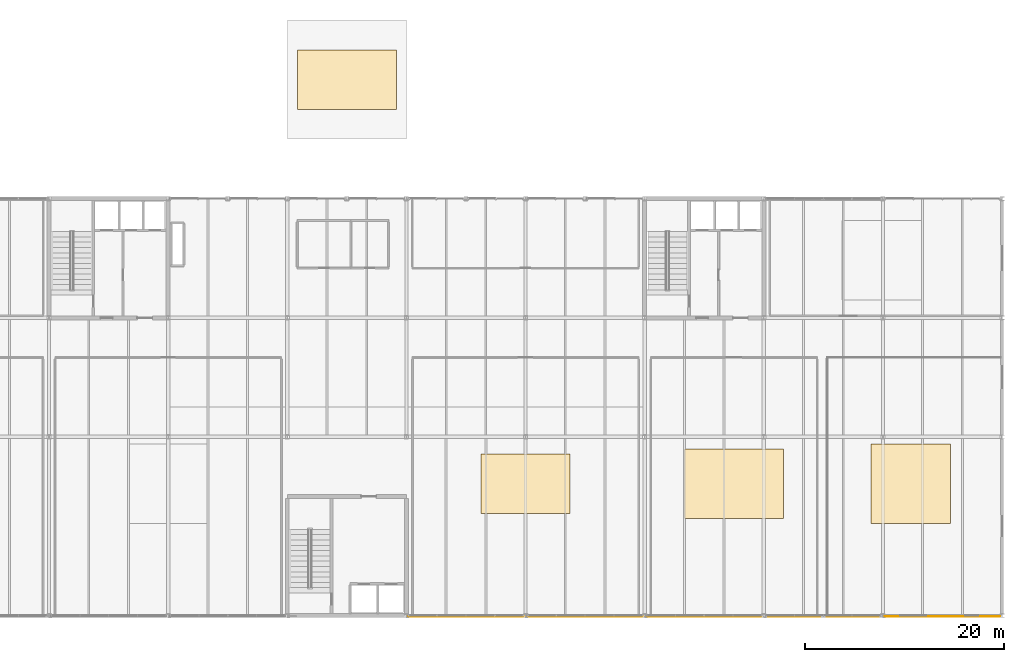
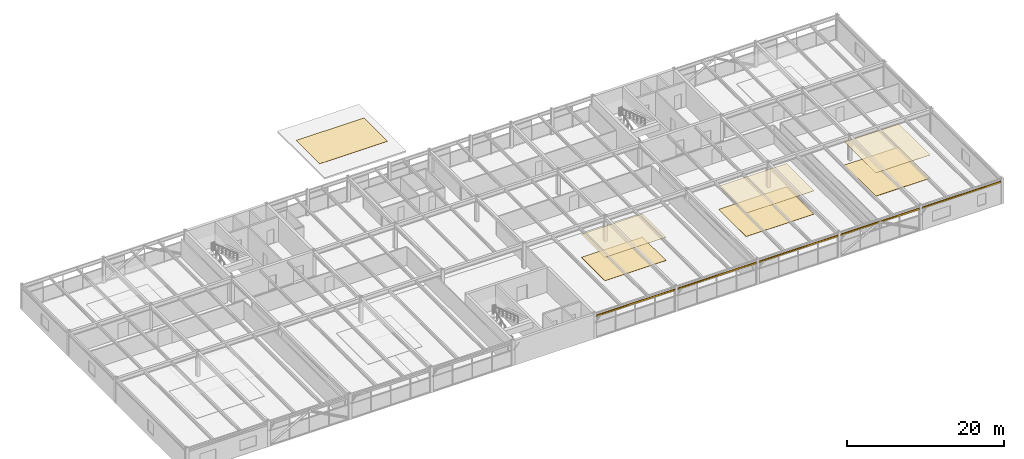
# One storey, part 48 of 49: 7 coverings, 5 shading devices.
"""IFC4 building model written with IfcOpenShell, lengths in metres."""

from ifc_helpers import new_model, si_unit, direction, frame, origin, origin_2d, place, context, subcontext, project, spatial, rectangle, extrude, material, layer, layer_set, type_object, element, save


model = new_model("IFC4")

# Units and contexts
model_context = context("Model", 3, precision=1e-05, world=origin(), true_north=direction((0.0, 1.0)))
body_context = subcontext(model_context, "Body", "Model", "MODEL_VIEW")
ifc_project = project(units=[si_unit("LENGTHUNIT", "METRE"), si_unit("AREAUNIT", "SQUARE_METRE"), si_unit("VOLUMEUNIT", "CUBIC_METRE"), si_unit("PLANEANGLEUNIT", "RADIAN"), si_unit("MASSUNIT", "GRAM", prefix="KILO")], contexts=[model_context])

# Site, building, storey
site_placement = place(None, origin())
site = spatial("IfcSite", under=ifc_project, at=site_placement, CompositionType="ELEMENT")
building_placement = place(site_placement, origin())
building = spatial("IfcBuilding", under=site, at=building_placement, Name="Girod Span Mobility Hub", CompositionType="ELEMENT")
storey_placement = place(building_placement, frame((0.0, 0.0, 37.60009765625)))
storey = spatial("IfcBuildingStorey", under=building, at=storey_placement, Name="L09", CompositionType="ELEMENT", Elevation=37.60009765625)

# Coverings
ifc_material_1 = material(Name="Perforated Mineral-Fibre Acoustic Ceiling Tile", Category="mineral")
ifc_layer_1 = layer(ifc_material_1, 0.050048828125)
ifc_layer_set_1 = layer_set([ifc_layer_1], Name="Perforated Mineral-Fibre Acoustic Ceiling Tile")
covering_type_1 = type_object("IfcCoveringType", Name="COV-CLG-1000X700", PredefinedType="CEILING", material=ifc_layer_set_1)
covering_1_placement = place(storey_placement, frame((117.0, 40.300048828125, 3.60498046875), z_axis=(0.0, 0.0, 1.0), x_axis=(1.0, 0.0, 0.0)))
element("IfcCovering", 1, at=covering_1_placement, inside=storey, type_object=covering_type_1, Name="Conference Room East L09 Acoustic Ceiling", PredefinedType="CEILING", context=body_context, shape_type="SweptSolid", body=[
    extrude(rectangle(XDim=10.0, YDim=7.0, at=origin_2d()), origin(), (0.0, 0.0, 1.0), 0.050048828125),
])
ifc_material_2 = material(Name="Perforated Mineral-Fibre Acoustic Ceiling Tile", Category="mineral")
ifc_layer_2 = layer(ifc_material_2, 0.0400390625)
ifc_layer_set_2 = layer_set([ifc_layer_2], Name="Perforated Mineral-Fibre Acoustic Ceiling Tile")
covering_type_2 = type_object("IfcCoveringType", Name="COV-CLG-800X800", PredefinedType="CEILING", material=ifc_layer_set_2)
covering_2_placement = place(storey_placement, frame((134.800048828125, 40.300048828125, 3.60498046875), z_axis=(0.0, 0.0, 1.0), x_axis=(1.0, 0.0, 0.0)))
element("IfcCovering", 2, at=covering_2_placement, inside=storey, type_object=covering_type_2, Name="Office Suite South East L09 Acoustic Ceiling", PredefinedType="CEILING", context=body_context, shape_type="SweptSolid", body=[
    extrude(rectangle(XDim=8.0, YDim=8.0, at=origin_2d()), origin(), (0.0, 0.0, 1.0), 0.0400390625),
])
ifc_material_3 = material(Name="Perforated Mineral-Fibre Acoustic Ceiling Tile", Category="mineral")
ifc_layer_3 = layer(ifc_material_3, 0.044921875)
ifc_layer_set_3 = layer_set([ifc_layer_3], Name="Perforated Mineral-Fibre Acoustic Ceiling Tile")
covering_type_3 = type_object("IfcCoveringType", Name="COV-CLG-900X600", PredefinedType="CEILING", material=ifc_layer_set_3)
covering_3_placement = place(storey_placement, frame((96.0, 40.300048828125, 3.60498046875), z_axis=(0.0, 0.0, 1.0), x_axis=(1.0, 0.0, 0.0)))
element("IfcCovering", 3, at=covering_3_placement, inside=storey, type_object=covering_type_3, Name="Planning Studio South L09 Acoustic Ceiling", PredefinedType="CEILING", context=body_context, shape_type="SweptSolid", body=[
    extrude(rectangle(XDim=9.0, YDim=6.0, at=origin_2d()), origin(), (0.0, 0.0, 1.0), 0.044921875),
])
ifc_material_4 = material(Name="Epoxy Terrazzo and Raised Access Flooring", Category="polymer")
ifc_layer_4 = layer(ifc_material_4, 0.02490234375)
ifc_layer_set_4 = layer_set([ifc_layer_4], Name="Epoxy Terrazzo and Raised Access Flooring")
covering_type_4 = type_object("IfcCoveringType", Name="COV-FLR-1000X700", PredefinedType="FLOORING", material=ifc_layer_set_4)
covering_4_placement = place(storey_placement, frame((117.0, 40.300048828125, 0.0), z_axis=(0.0, 0.0, 1.0), x_axis=(1.0, 0.0, 0.0)))
element("IfcCovering", 4, at=covering_4_placement, inside=storey, type_object=covering_type_4, Name="Conference Room East L09 Floor Finish", PredefinedType="FLOORING", context=body_context, shape_type="SweptSolid", body=[
    extrude(rectangle(XDim=10.0, YDim=7.0, at=origin_2d()), origin(), (0.0, 0.0, 1.0), 0.02490234375),
])
ifc_material_5 = material(Name="Epoxy Terrazzo and Raised Access Flooring", Category="polymer")
ifc_layer_5 = layer(ifc_material_5, 0.034912109375)
ifc_layer_set_5 = layer_set([ifc_layer_5], Name="Epoxy Terrazzo and Raised Access Flooring")
covering_type_5 = type_object("IfcCoveringType", Name="COV-FLR-800X800", PredefinedType="FLOORING", material=ifc_layer_set_5)
covering_5_placement = place(storey_placement, frame((134.800048828125, 40.300048828125, 0.0), z_axis=(0.0, 0.0, 1.0), x_axis=(1.0, 0.0, 0.0)))
element("IfcCovering", 5, at=covering_5_placement, inside=storey, type_object=covering_type_5, Name="Office Suite South East L09 Floor Finish", PredefinedType="FLOORING", context=body_context, shape_type="SweptSolid", body=[
    extrude(rectangle(XDim=8.0, YDim=8.0, at=origin_2d()), origin(), (0.0, 0.0, 1.0), 0.034912109375),
])
ifc_material_6 = material(Name="Epoxy Terrazzo and Raised Access Flooring", Category="polymer")
ifc_layer_6 = layer(ifc_material_6, 0.030029296875)
ifc_layer_set_6 = layer_set([ifc_layer_6], Name="Epoxy Terrazzo and Raised Access Flooring")
covering_type_6 = type_object("IfcCoveringType", Name="COV-FLR-900X600", PredefinedType="FLOORING", material=ifc_layer_set_6)
covering_6_placement = place(storey_placement, frame((96.0, 40.300048828125, 0.0), z_axis=(0.0, 0.0, 1.0), x_axis=(1.0, 0.0, 0.0)))
element("IfcCovering", 6, at=covering_6_placement, inside=storey, type_object=covering_type_6, Name="Planning Studio South L09 Floor Finish", PredefinedType="FLOORING", context=body_context, shape_type="SweptSolid", body=[
    extrude(rectangle(XDim=9.0, YDim=6.0, at=origin_2d()), origin(), (0.0, 0.0, 1.0), 0.030029296875),
])
ifc_material_7 = material(Name="EPDM Cool-Roof Waterproofing Membrane", Category="polymer")
ifc_layer_7 = layer(ifc_material_7, 0.02490234375)
ifc_layer_set_7 = layer_set([ifc_layer_7], Name="EPDM Cool-Roof Waterproofing Membrane")
covering_type_7 = type_object("IfcCoveringType", Name="COV-RF-EPDM", PredefinedType="ROOFING", material=ifc_layer_set_7)
covering_7_placement = place(storey_placement, frame((78.0, 81.0, 0.0), z_axis=(0.0, 0.0, 1.0), x_axis=(1.0, 0.0, 0.0)))
element("IfcCovering", 7, at=covering_7_placement, inside=storey, type_object=covering_type_7, Name="Core C4 Headhouse Roof Membrane", PredefinedType="ROOFING", context=body_context, shape_type="SweptSolid", body=[
    extrude(rectangle(XDim=10.0, YDim=6.0, at=origin_2d()), origin(), (0.0, 0.0, 1.0), 0.02490234375),
])

# Shading devices
ifc_material_8 = material(Name="Aluminium 6063-T6", Category="aluminium")
ifc_layer_8 = layer(ifc_material_8, 0.030029296875)
ifc_layer_set_8 = layer_set([ifc_layer_8], Name="Aluminium 6063-T6")
shading_device_type = type_object("IfcShadingDeviceType", Name="SHD-SHT-11610X260X30", PredefinedType="SHUTTER", material=ifc_layer_set_8)
for number, where, z_axis, x_axis, name in (
    (8, (90.0, 26.919921875, 3.27099609375), (0.0, 0.0, 1.0), (1.0, 0.0, 0.0), "External Solar Shading Blade 8 L09"),
    (9, (102.0, 26.919921875, 3.27099609375), (0.0, 0.0, 1.0), (1.0, 0.0, 0.0), "External Solar Shading Blade 9 L09"),
    (10, (114.0, 26.919921875, 3.27099609375), (0.0, 0.0, 1.0), (1.0, 0.0, 0.0), "External Solar Shading Blade 10 L09"),
    (11, (126.0, 26.919921875, 3.27099609375), (0.0, 0.0, 1.0), (1.0, 0.0, 0.0), "External Solar Shading Blade 11 L09"),
    (12, (138.0, 26.919921875, 3.27099609375), (0.0, 0.0, 1.0), (1.0, 0.0, 0.0), "External Solar Shading Blade 12 L09"),
):
    element("IfcShadingDevice", number, at=place(storey_placement, frame(where, z_axis=z_axis, x_axis=x_axis)), inside=storey, type_object=shading_device_type, Name=name, PredefinedType="SHUTTER", context=body_context, shape_type="SweptSolid", body=[
        extrude(rectangle(XDim=11.610107421875, YDim=0.030029296875, at=origin_2d()), origin(), (0.0, 0.0, 1.0), 0.260009765625),
    ])

save(model, "model.ifc")
